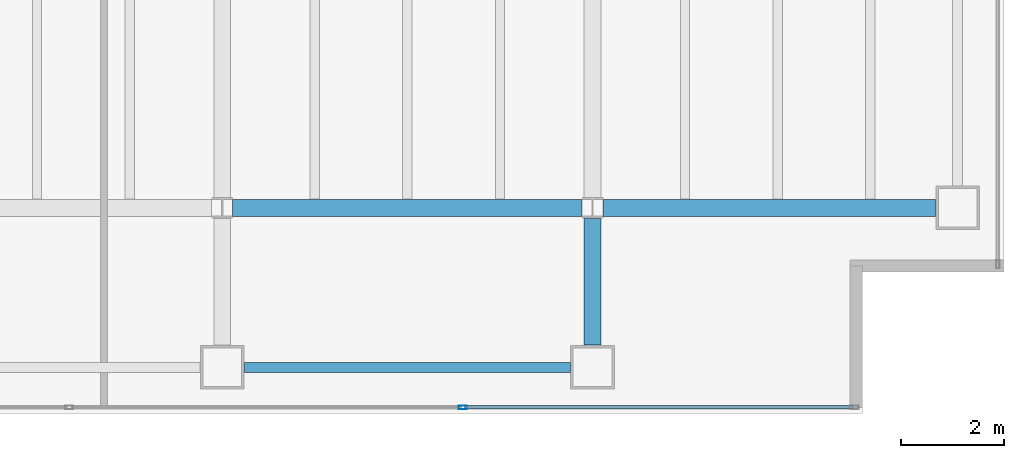
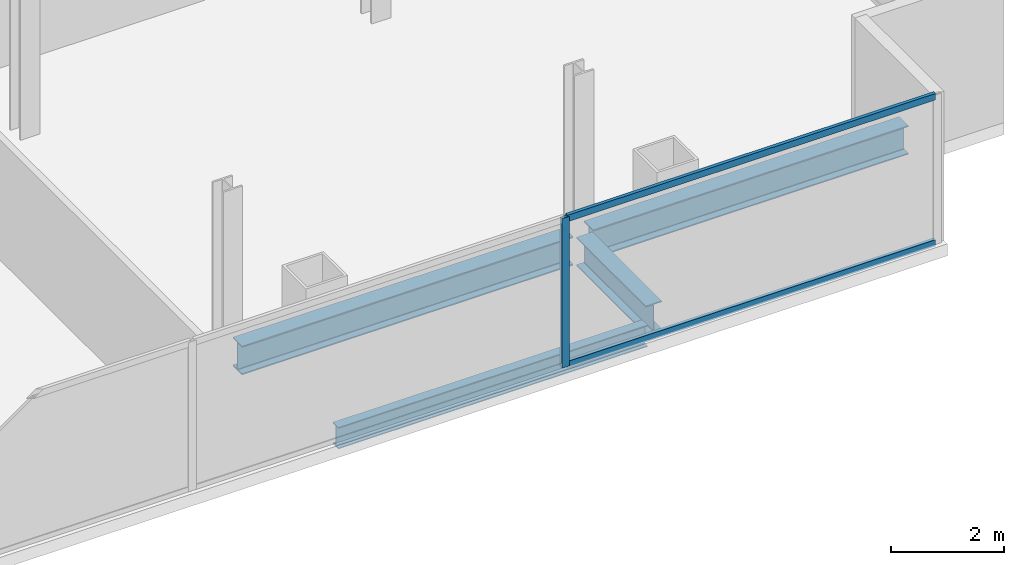
# One storey, part 10 of 23: 4 beams, 3 members, 1 element without a shape of its own.
"""IFC4 building model written with IfcOpenShell, lengths in metres."""

from ifc_helpers import new_model, si_unit, direction, frame, origin, origin_2d, place, context, subcontext, project, spatial, hollow_rectangle, i_section, extrude, material, material_profile, profile_set, type_object, element, aggregate, save


model = new_model("IFC4")

# Units and contexts
model_context = context("Model", 3, precision=1e-05, world=origin(), true_north=direction((0.0, 1.0)))
body_context = subcontext(model_context, "Body", "Model", "MODEL_VIEW")
ifc_project = project(units=[si_unit("LENGTHUNIT", "METRE"), si_unit("AREAUNIT", "SQUARE_METRE"), si_unit("VOLUMEUNIT", "CUBIC_METRE"), si_unit("PLANEANGLEUNIT", "RADIAN"), si_unit("MASSUNIT", "GRAM", prefix="KILO")], contexts=[model_context])

# Site, building, storey
site_placement = place(None, origin())
site = spatial("IfcSite", under=ifc_project, at=site_placement, CompositionType="ELEMENT")
building_placement = place(site_placement, origin())
building = spatial("IfcBuilding", under=site, at=building_placement, Name="Cobrela Telecom Tower", CompositionType="ELEMENT")
storey_placement = place(building_placement, frame((0.0, 0.0, 180.25)))
storey = spatial("IfcBuildingStorey", under=building, at=storey_placement, Name="L45", CompositionType="ELEMENT", Elevation=180.25)

# Beams
ifc_material_1 = material(Name="Steel ASTM A992 Grade 50", Category="steel")
ifc_material_profile_1 = material_profile(ifc_material_1, i_section(OverallWidth=0.327880859375, OverallDepth=0.6220703125, WebThickness=0.015380859375, FlangeThickness=0.0244140625, FilletRadius=0.014892578125, at=origin_2d()), Name="W24X131")
ifc_profile_set_1 = profile_set([ifc_material_profile_1], Name="Steel ASTM A992 Grade 50")
beam_type_1 = type_object("IfcBeamType", Name="BM-GIRD-06", PredefinedType="USERDEFINED", material=ifc_profile_set_1)
beam_1_placement = place(storey_placement, frame((29.00439453125, 7.199951171875, -0.571044921875), z_axis=(1.0, 0.0, 0.0), x_axis=(0.0, 1.0, 0.0)))
element("IfcBeam", 1, at=beam_1_placement, inside=storey, type_object=beam_type_1, Name="L45 Primary Girder X09", ObjectType="GIRDER", PredefinedType="USERDEFINED", context=body_context, shape_type="SweptSolid", body=[
    extrude(i_section(OverallWidth=0.327880859375, OverallDepth=0.6220703125, WebThickness=0.015380859375, FlangeThickness=0.0244140625, FilletRadius=0.014892578125, at=origin_2d()), origin(), (0.0, 0.0, 1.0), 6.791015625),
])
beam_2_placement = place(storey_placement, frame((36.20458984375, 7.199951171875, -0.571044921875), z_axis=(1.0, 0.0, 0.0), x_axis=(0.0, 1.0, 0.0)))
element("IfcBeam", 2, at=beam_2_placement, inside=storey, type_object=beam_type_1, Name="L45 Primary Girder X10", ObjectType="GIRDER", PredefinedType="USERDEFINED", context=body_context, shape_type="SweptSolid", body=[
    extrude(i_section(OverallWidth=0.327880859375, OverallDepth=0.6220703125, WebThickness=0.015380859375, FlangeThickness=0.0244140625, FilletRadius=0.014892578125, at=origin_2d()), origin(), (0.0, 0.0, 1.0), 6.46533203125),
])
beam_3_placement = place(storey_placement, frame((36.0, 4.530029296875, -0.571044921875), z_axis=(0.0, 1.0, 0.0), x_axis=(-1.0, 0.0, 0.0)))
element("IfcBeam", 3, at=beam_3_placement, inside=storey, type_object=beam_type_1, Name="L45 Primary Girder Y39", ObjectType="GIRDER", PredefinedType="USERDEFINED", context=body_context, shape_type="SweptSolid", body=[
    extrude(i_section(OverallWidth=0.327880859375, OverallDepth=0.6220703125, WebThickness=0.015380859375, FlangeThickness=0.0244140625, FilletRadius=0.014892578125, at=origin_2d()), origin(), (0.0, 0.0, 1.0), 2.465576171875),
])
ifc_material_profile_2 = material_profile(ifc_material_1, i_section(OverallWidth=0.193115234375, OverallDepth=0.467041015625, WebThickness=0.011474609375, FlangeThickness=0.01904296875, FilletRadius=0.012939453125, at=origin_2d()), Name="W18X65")
ifc_profile_set_2 = profile_set([ifc_material_profile_2], Name="Steel ASTM A992 Grade 50")
beam_type_2 = type_object("IfcBeamType", Name="BM-SPAND-05", PredefinedType="SPANDREL", material=ifc_profile_set_2)
beam_4_placement = place(storey_placement, frame((29.22998046875, 4.10009765625, -0.493408203125), z_axis=(1.0, 0.0, 0.0), x_axis=(0.0, 1.0, 0.0)))
element("IfcBeam", 4, at=beam_4_placement, inside=storey, type_object=beam_type_2, Name="L45 Perimeter Spandrel X04", PredefinedType="SPANDREL", context=body_context, shape_type="SweptSolid", body=[
    extrude(i_section(OverallWidth=0.193115234375, OverallDepth=0.467041015625, WebThickness=0.011474609375, FlangeThickness=0.01904296875, FilletRadius=0.012939453125, at=origin_2d()), origin(), (0.0, 0.0, 1.0), 6.340087890625),
])

# Curtain wall, members
ifc_material_2 = material(Name="Anodized Bronze Aluminium 6063-T6", Category="aluminium")
curtain_wall_type = type_object("IfcCurtainWallType", Name="CW-SYS-OFF-LO", PredefinedType="USERDEFINED", material=ifc_material_2)
curtain_wall_placement = place(storey_placement, origin())
curtain_wall = element("IfcCurtainWall", 5, at=curtain_wall_placement, inside=storey, type_object=curtain_wall_type, Name="L45 Unitised Bronze Curtain Wall 17", ObjectType="UNITISED CURTAIN WALL", PredefinedType="USERDEFINED")
ifc_material_profile_3 = material_profile(ifc_material_2, hollow_rectangle(XDim=0.070068359375, YDim=0.159912109375, WallThickness=0.00390625, at=origin_2d()), Name="ALU 70x160x4")
ifc_profile_set_3 = profile_set([ifc_material_profile_3], Name="Anodized Bronze Aluminium 6063-T6")
member_type_1 = type_object("IfcMemberType", Name="CW-SYS-OFF-LO-MUL", PredefinedType="MULLION", material=ifc_profile_set_3)
member_1_placement = place(storey_placement, frame((33.47802734375, 3.320068359375, 0.0), z_axis=(0.0, 0.0, 1.0), x_axis=(0.0, -1.0, 0.0)))
member_1 = element("IfcMember", 6, at=member_1_placement, type_object=member_type_1, Name="CW-OFF-LO mullion 2", PredefinedType="MULLION", context=body_context, shape_type="SweptSolid", body=[
    extrude(hollow_rectangle(XDim=0.070068359375, YDim=0.159912109375, WallThickness=0.00390625, at=origin_2d()), origin(), (0.0, 0.0, 1.0), 3.239990234375),
])
ifc_material_profile_4 = material_profile(ifc_material_2, hollow_rectangle(XDim=0.070068359375, YDim=0.139892578125, WallThickness=0.00390625, at=origin_2d()), Name="ALU 70x140x4")
ifc_profile_set_4 = profile_set([ifc_material_profile_4], Name="Anodized Bronze Aluminium 6063-T6")
member_type_2 = type_object("IfcMemberType", Name="CW-SYS-OFF-LO-TRN", PredefinedType="USERDEFINED", material=ifc_profile_set_4)
member_2_placement = place(storey_placement, frame((41.06005859375, 3.320068359375, 0.034912109375), z_axis=(-1.0, 0.0, 0.0), x_axis=(0.0, -1.0, 0.0)))
member_2 = element("IfcMember", 7, at=member_2_placement, type_object=member_type_2, Name="CW-OFF-LO transom 1.1", ObjectType="TRANSOM", PredefinedType="USERDEFINED", context=body_context, shape_type="SweptSolid", body=[
    extrude(hollow_rectangle(XDim=0.070068359375, YDim=0.139892578125, WallThickness=0.00390625, at=origin_2d()), origin(), (0.0, 0.0, 1.0), 7.547119140625),
])
member_3_placement = place(storey_placement, frame((41.06005859375, 3.320068359375, 3.205078125), z_axis=(-1.0, 0.0, 0.0), x_axis=(0.0, -1.0, 0.0)))
member_3 = element("IfcMember", 8, at=member_3_placement, type_object=member_type_2, Name="CW-OFF-LO transom 1.2", ObjectType="TRANSOM", PredefinedType="USERDEFINED", context=body_context, shape_type="SweptSolid", body=[
    extrude(hollow_rectangle(XDim=0.070068359375, YDim=0.139892578125, WallThickness=0.00390625, at=origin_2d()), origin(), (0.0, 0.0, 1.0), 7.547119140625),
])
aggregate(curtain_wall, [member_1, member_2, member_3])

save(model, "model.ifc")
